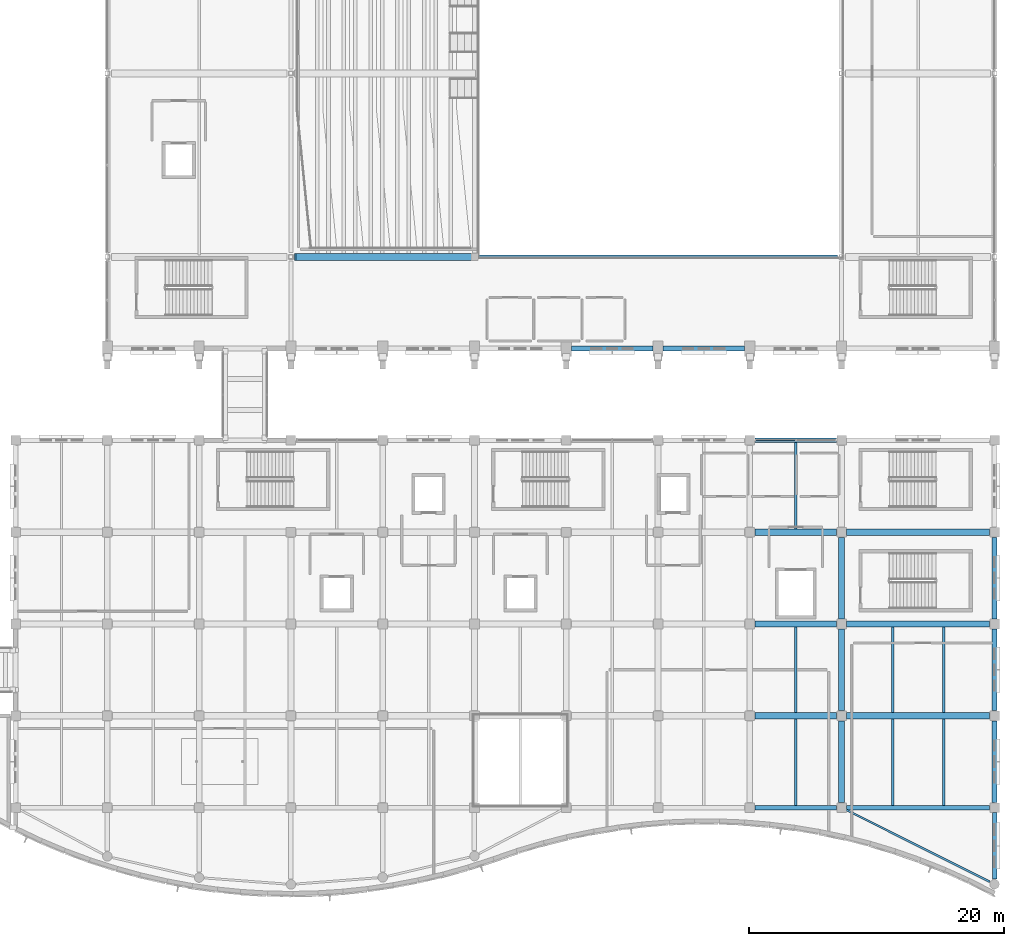
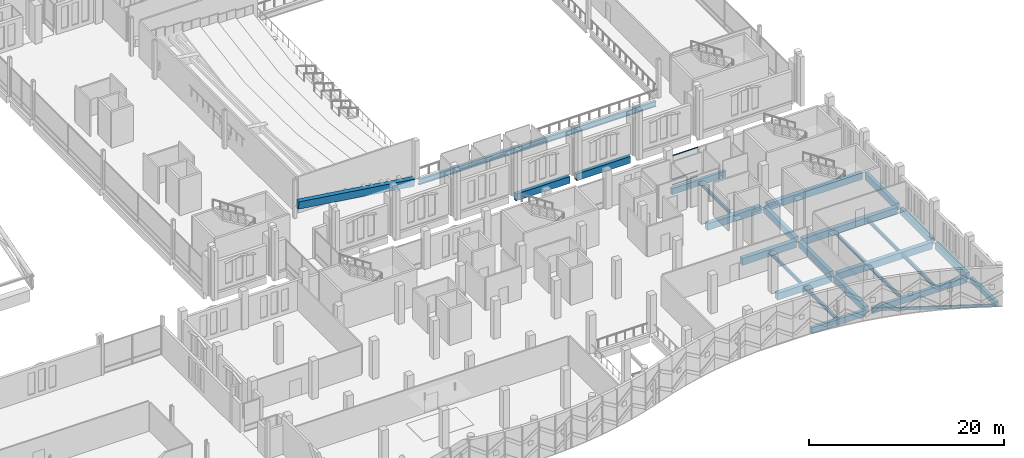
# One storey, part 76 of 193: 28 beams, 3 members, 1 element without a shape of its own.
"""IFC4 building model written with IfcOpenShell, lengths in metres."""

from ifc_helpers import new_model, si_unit, direction, frame, origin, origin_2d, place, context, subcontext, project, spatial, rectangle, hollow_rectangle, i_section, extrude, material, material_profile, profile_set, type_object, element, aggregate, save


model = new_model("IFC4")

# Units and contexts
model_context = context("Model", 3, precision=1e-05, world=origin(), true_north=direction((0.0, 1.0)))
body_context = subcontext(model_context, "Body", "Model", "MODEL_VIEW")
ifc_project = project(units=[si_unit("LENGTHUNIT", "METRE"), si_unit("AREAUNIT", "SQUARE_METRE"), si_unit("VOLUMEUNIT", "CUBIC_METRE"), si_unit("PLANEANGLEUNIT", "RADIAN"), si_unit("MASSUNIT", "GRAM", prefix="KILO")], contexts=[model_context])

# Site, building, storey
site_placement = place(None, origin())
site = spatial("IfcSite", under=ifc_project, at=site_placement, CompositionType="ELEMENT")
building_placement = place(site_placement, origin())
building = spatial("IfcBuilding", under=site, at=building_placement, Name="Cendralis Lancet Convention Centre", CompositionType="ELEMENT")
storey_placement = place(building_placement, frame((0.0, 0.0, 10.199951171875)))
storey = spatial("IfcBuildingStorey", under=building, at=storey_placement, Name="L02", CompositionType="ELEMENT", Elevation=10.199951171875)

# Curtain wall, members
ifc_material_1 = material(Name="Anodised bronze architectural aluminium", Category="aluminium")
curtain_wall_type = type_object("IfcCurtainWallType", Name="ARC-CW-CL02", PredefinedType="USERDEFINED", material=ifc_material_1)
curtain_wall_placement = place(storey_placement, origin())
curtain_wall = element("IfcCurtainWall", 1, at=curtain_wall_placement, inside=storey, type_object=curtain_wall_type, Name="L02 Curtain Wall CW-CL2 #187", ObjectType="CURTAIN WALL", PredefinedType="USERDEFINED")
ifc_material_profile_1 = material_profile(ifc_material_1, hollow_rectangle(XDim=0.06005859375, YDim=0.1201171875, WallThickness=0.00390625, at=origin_2d()), Name="AL-TRAN 60x120x4.0")
ifc_profile_set_1 = profile_set([ifc_material_profile_1], Name="Anodised bronze architectural aluminium")
member_type = type_object("IfcMemberType", Name="ARC-CW-TR01", PredefinedType="USERDEFINED", material=ifc_profile_set_1)
member_1_placement = place(storey_placement, frame((190.0849609375, 36.0, 0.06005859375), z_axis=(1.0, 0.0, 0.0), x_axis=(0.0, 1.0, 0.0)))
member_1 = element("IfcMember", 2, at=member_1_placement, type_object=member_type, Name="Transom CW2-CW-CL2-L02-187-T0BOT", ObjectType="TRANSOM", PredefinedType="USERDEFINED", context=body_context, shape_type="SweptSolid", body=[
    extrude(hollow_rectangle(XDim=0.06005859375, YDim=0.1201171875, WallThickness=0.00390625, at=origin_2d()), origin(), (0.0, 0.0, 1.0), 3.054931640625),
])
member_2_placement = place(storey_placement, frame((190.0849609375, 36.0, 0.75), z_axis=(1.0, 0.0, 0.0), x_axis=(0.0, 1.0, 0.0)))
member_2 = element("IfcMember", 3, at=member_2_placement, type_object=member_type, Name="Transom CW2-CW-CL2-L02-187-T0MID", ObjectType="TRANSOM", PredefinedType="USERDEFINED", context=body_context, shape_type="SweptSolid", body=[
    extrude(hollow_rectangle(XDim=0.06005859375, YDim=0.1201171875, WallThickness=0.00390625, at=origin_2d()), origin(), (0.0, 0.0, 1.0), 3.054931640625),
])
member_3_placement = place(storey_placement, frame((190.0849609375, 36.0, 3.715087890625), z_axis=(1.0, 0.0, 0.0), x_axis=(0.0, 1.0, 0.0)))
member_3 = element("IfcMember", 4, at=member_3_placement, type_object=member_type, Name="Transom CW2-CW-CL2-L02-187-T0TOP", ObjectType="TRANSOM", PredefinedType="USERDEFINED", context=body_context, shape_type="SweptSolid", body=[
    extrude(hollow_rectangle(XDim=0.06005859375, YDim=0.1201171875, WallThickness=0.00390625, at=origin_2d()), origin(), (0.0, 0.0, 1.0), 3.054931640625),
])
aggregate(curtain_wall, [member_1, member_2, member_3])

# Beams
ifc_material_2 = material(Name="Concrete G35 (C35/45)", Category="concrete")
ifc_material_profile_2 = material_profile(ifc_material_2, rectangle(XDim=0.5, YDim=0.85009765625, at=origin_2d()), Name="RCB 500x850")
ifc_profile_set_2 = profile_set([ifc_material_profile_2], Name="Concrete G35 (C35/45)")
beam_type_1 = type_object("IfcBeamType", Name="STR-BM-BG08", PredefinedType="BEAM", material=ifc_profile_set_2)
beam_1_placement = place(storey_placement, frame((190.0, 14.39990234375, -0.724853515625), z_axis=(1.0, 0.0, 0.0), x_axis=(0.0, 1.0, 0.0)))
element("IfcBeam", 5, at=beam_1_placement, inside=storey, type_object=beam_type_1, Name="L02 Beam BG08 #0271", PredefinedType="BEAM", context=body_context, shape_type="SweptSolid", body=[
    extrude(rectangle(XDim=0.5, YDim=0.85009765625, at=origin_2d()), origin(), (0.0, 0.0, 1.0), 6.39990234375),
])
beam_2_placement = place(storey_placement, frame((197.199951171875, 14.39990234375, -0.724853515625), z_axis=(1.0, 0.0, 0.0), x_axis=(0.0, 1.0, 0.0)))
element("IfcBeam", 6, at=beam_2_placement, inside=storey, type_object=beam_type_1, Name="L02 Beam BG08 #0272", PredefinedType="BEAM", context=body_context, shape_type="SweptSolid", body=[
    extrude(rectangle(XDim=0.5, YDim=0.85009765625, at=origin_2d()), origin(), (0.0, 0.0, 1.0), 11.199951171875),
])
beam_3_placement = place(storey_placement, frame((190.0, 21.60009765625, -0.724853515625), z_axis=(1.0, 0.0, 0.0), x_axis=(0.0, 1.0, 0.0)))
element("IfcBeam", 7, at=beam_3_placement, inside=storey, type_object=beam_type_1, Name="L02 Beam BG08 #0281", PredefinedType="BEAM", context=body_context, shape_type="SweptSolid", body=[
    extrude(rectangle(XDim=0.5, YDim=0.85009765625, at=origin_2d()), origin(), (0.0, 0.0, 1.0), 6.39990234375),
])
beam_4_placement = place(storey_placement, frame((197.199951171875, 21.60009765625, -0.724853515625), z_axis=(1.0, 0.0, 0.0), x_axis=(0.0, 1.0, 0.0)))
element("IfcBeam", 8, at=beam_4_placement, inside=storey, type_object=beam_type_1, Name="L02 Beam BG08 #0282", PredefinedType="BEAM", context=body_context, shape_type="SweptSolid", body=[
    extrude(rectangle(XDim=0.5, YDim=0.85009765625, at=origin_2d()), origin(), (0.0, 0.0, 1.0), 11.199951171875),
])
beam_5_placement = place(storey_placement, frame((190.0, 28.800048828125, -0.724853515625), z_axis=(1.0, 0.0, 0.0), x_axis=(0.0, 1.0, 0.0)))
element("IfcBeam", 9, at=beam_5_placement, inside=storey, type_object=beam_type_1, Name="L02 Beam BG08 #0291", PredefinedType="BEAM", context=body_context, shape_type="SweptSolid", body=[
    extrude(rectangle(XDim=0.5, YDim=0.85009765625, at=origin_2d()), origin(), (0.0, 0.0, 1.0), 6.39990234375),
])
beam_6_placement = place(storey_placement, frame((197.199951171875, 28.800048828125, -0.724853515625), z_axis=(1.0, 0.0, 0.0), x_axis=(0.0, 1.0, 0.0)))
element("IfcBeam", 10, at=beam_6_placement, inside=storey, type_object=beam_type_1, Name="L02 Beam BG08 #0292", PredefinedType="BEAM", context=body_context, shape_type="SweptSolid", body=[
    extrude(rectangle(XDim=0.5, YDim=0.85009765625, at=origin_2d()), origin(), (0.0, 0.0, 1.0), 11.199951171875),
])
ifc_material_profile_3 = material_profile(ifc_material_2, rectangle(XDim=0.449951171875, YDim=0.800048828125, at=origin_2d()), Name="RCB 450x800")
ifc_profile_set_3 = profile_set([ifc_material_profile_3], Name="Concrete G35 (C35/45)")
beam_type_2 = type_object("IfcBeamType", Name="STR-BM-BG10", PredefinedType="BEAM", material=ifc_profile_set_3)
for number, where, z_axis, x_axis, name in (
    (11, (196.800048828125, 7.60009765625, -0.699951171875), (0.0, 1.0, 0.0), (-1.0, 0.0, 0.0), "L02 Beam BG10 #0337"),
    (12, (196.800048828125, 14.800048828125, -0.699951171875), (0.0, 1.0, 0.0), (-1.0, 0.0, 0.0), "L02 Beam BG10 #0338"),
    (13, (196.800048828125, 22.0, -0.699951171875), (0.0, 1.0, 0.0), (-1.0, 0.0, 0.0), "L02 Beam BG10 #0339"),
):
    element("IfcBeam", number, at=place(storey_placement, frame(where, z_axis=z_axis, x_axis=x_axis)), inside=storey, type_object=beam_type_2, Name=name, PredefinedType="BEAM", context=body_context, shape_type="SweptSolid", body=[
        extrude(rectangle(XDim=0.449951171875, YDim=0.800048828125, at=origin_2d()), origin(), (0.0, 0.0, 1.0), 6.39990234375),
    ])
ifc_material_profile_4 = material_profile(ifc_material_2, rectangle(XDim=0.35009765625, YDim=0.60009765625, at=origin_2d()), Name="RCB 350x600")
ifc_profile_set_4 = profile_set([ifc_material_profile_4], Name="Concrete G35 (C35/45)")
beam_type_3 = type_object("IfcBeamType", Name="STR-BM-BG16", PredefinedType="BEAM", material=ifc_profile_set_4)
beam_7_placement = place(storey_placement, frame((208.800048828125, 1.60888671875, -0.599853515625), z_axis=(0.0, 1.0, 0.0), x_axis=(-1.0, 0.0, 0.0)))
element("IfcBeam", 14, at=beam_7_placement, inside=storey, type_object=beam_type_3, Name="L02 Beam BG16 #1085", PredefinedType="BEAM", context=body_context, shape_type="SweptSolid", body=[
    extrude(rectangle(XDim=0.35009765625, YDim=0.60009765625, at=origin_2d()), origin(), (0.0, 0.0, 1.0), 5.191162109375),
])
ifc_material_3 = material(Name="Steel S355", Category="steel")
ifc_material_profile_5 = material_profile(ifc_material_3, i_section(OverallWidth=0.300048828125, OverallDepth=0.699951171875, WebThickness=0.01708984375, FlangeThickness=0.031982421875, FilletRadius=0.027099609375, at=origin_2d()), Name="HEB 700")
ifc_profile_set_5 = profile_set([ifc_material_profile_5], Name="Steel S355")
beam_type_4 = type_object("IfcBeamType", Name="STR-BM-SG07", PredefinedType="BEAM", material=ifc_profile_set_5)
beam_8_placement = place(storey_placement, frame((168.300048828125, 50.39990234375, -0.64990234375), z_axis=(1.0, 0.0, 0.0), x_axis=(0.0, 1.0, 0.0)))
element("IfcBeam", 15, at=beam_8_placement, inside=storey, type_object=beam_type_4, Name="L02 Beam SG07 #1468", PredefinedType="BEAM", context=body_context, shape_type="SweptSolid", body=[
    extrude(i_section(OverallWidth=0.300048828125, OverallDepth=0.699951171875, WebThickness=0.01708984375, FlangeThickness=0.031982421875, FilletRadius=0.027099609375, at=origin_2d()), origin(), (0.0, 0.0, 1.0), 28.175048828125),
])
ifc_material_profile_6 = material_profile(ifc_material_3, i_section(OverallWidth=0.18994140625, OverallDepth=0.449951171875, WebThickness=0.009521484375, FlangeThickness=0.0146484375, FilletRadius=0.02099609375, at=origin_2d()), Name="IPE 450")
ifc_profile_set_6 = profile_set([ifc_material_profile_6], Name="Steel S355")
beam_type_5 = type_object("IfcBeamType", Name="STR-JS-BJ07", PredefinedType="JOIST", material=ifc_profile_set_6)
beam_9_placement = place(storey_placement, frame((193.199951171875, 7.375, -0.52490234375), z_axis=(0.0, 1.0, 0.0), x_axis=(-1.0, 0.0, 0.0)))
element("IfcBeam", 16, at=beam_9_placement, inside=storey, type_object=beam_type_5, Name="L02 Beam BJ07 #0372", PredefinedType="JOIST", context=body_context, shape_type="SweptSolid", body=[
    extrude(i_section(OverallWidth=0.18994140625, OverallDepth=0.449951171875, WebThickness=0.009521484375, FlangeThickness=0.0146484375, FilletRadius=0.02099609375, at=origin_2d()), origin(), (0.0, 0.0, 1.0), 6.77490234375),
])
beam_10_placement = place(storey_placement, frame((193.199951171875, 14.64990234375, -0.52490234375), z_axis=(0.0, 1.0, 0.0), x_axis=(-1.0, 0.0, 0.0)))
element("IfcBeam", 17, at=beam_10_placement, inside=storey, type_object=beam_type_5, Name="L02 Beam BJ07 #0373", PredefinedType="JOIST", context=body_context, shape_type="SweptSolid", body=[
    extrude(i_section(OverallWidth=0.18994140625, OverallDepth=0.449951171875, WebThickness=0.009521484375, FlangeThickness=0.0146484375, FilletRadius=0.02099609375, at=origin_2d()), origin(), (0.0, 0.0, 1.0), 6.7001953125),
])
for number, where, z_axis, x_axis, name in (
    (18, (193.199951171875, 29.050048828125, -0.52490234375), (0.0, 1.0, 0.0), (-1.0, 0.0, 0.0), "L02 Beam BJ07 #0374"),
    (19, (200.800048828125, 7.375, -0.52490234375), (0.0, 1.0, 0.0), (-1.0, 0.0, 0.0), "L02 Beam BJ07 #0375"),
):
    element("IfcBeam", number, at=place(storey_placement, frame(where, z_axis=z_axis, x_axis=x_axis)), inside=storey, type_object=beam_type_5, Name=name, PredefinedType="JOIST", context=body_context, shape_type="SweptSolid", body=[
        extrude(i_section(OverallWidth=0.18994140625, OverallDepth=0.449951171875, WebThickness=0.009521484375, FlangeThickness=0.0146484375, FilletRadius=0.02099609375, at=origin_2d()), origin(), (0.0, 0.0, 1.0), 6.77490234375),
    ])
beam_11_placement = place(storey_placement, frame((200.800048828125, 14.64990234375, -0.52490234375), z_axis=(0.0, 1.0, 0.0), x_axis=(-1.0, 0.0, 0.0)))
element("IfcBeam", 20, at=beam_11_placement, inside=storey, type_object=beam_type_5, Name="L02 Beam BJ07 #0376", PredefinedType="JOIST", context=body_context, shape_type="SweptSolid", body=[
    extrude(i_section(OverallWidth=0.18994140625, OverallDepth=0.449951171875, WebThickness=0.009521484375, FlangeThickness=0.0146484375, FilletRadius=0.02099609375, at=origin_2d()), origin(), (0.0, 0.0, 1.0), 6.7001953125),
])
beam_12_placement = place(storey_placement, frame((204.800048828125, 7.375, -0.52490234375), z_axis=(0.0, 1.0, 0.0), x_axis=(-1.0, 0.0, 0.0)))
element("IfcBeam", 21, at=beam_12_placement, inside=storey, type_object=beam_type_5, Name="L02 Beam BJ07 #0377", PredefinedType="JOIST", context=body_context, shape_type="SweptSolid", body=[
    extrude(i_section(OverallWidth=0.18994140625, OverallDepth=0.449951171875, WebThickness=0.009521484375, FlangeThickness=0.0146484375, FilletRadius=0.02099609375, at=origin_2d()), origin(), (0.0, 0.0, 1.0), 6.77490234375),
])
beam_13_placement = place(storey_placement, frame((204.800048828125, 14.64990234375, -0.52490234375), z_axis=(0.0, 1.0, 0.0), x_axis=(-1.0, 0.0, 0.0)))
element("IfcBeam", 22, at=beam_13_placement, inside=storey, type_object=beam_type_5, Name="L02 Beam BJ07 #0378", PredefinedType="JOIST", context=body_context, shape_type="SweptSolid", body=[
    extrude(i_section(OverallWidth=0.18994140625, OverallDepth=0.449951171875, WebThickness=0.009521484375, FlangeThickness=0.0146484375, FilletRadius=0.02099609375, at=origin_2d()), origin(), (0.0, 0.0, 1.0), 6.7001953125),
])
ifc_material_profile_7 = material_profile(ifc_material_2, rectangle(XDim=0.550048828125, YDim=0.89990234375, at=origin_2d()), Name="RCB 550x900")
ifc_profile_set_7 = profile_set([ifc_material_profile_7], Name="Concrete G35 (C35/45)")
beam_type_6 = type_object("IfcBeamType", Name="STR-RK-RAKER2", PredefinedType="USERDEFINED", material=ifc_profile_set_7)
beam_14_placement = place(storey_placement, frame((153.925048828125, 50.39990234375, 1.550048828125), z_axis=(0.990128740298, 0.0, -0.140160899095), x_axis=(0.0, 1.0, 0.0)))
element("IfcBeam", 23, at=beam_14_placement, inside=storey, type_object=beam_type_6, Name="Plenary Upper Stand RAKER Girder RK02-F01", ObjectType="RAKER", PredefinedType="USERDEFINED", context=body_context, shape_type="SweptSolid", body=[
    extrude(rectangle(XDim=0.550048828125, YDim=0.89990234375, at=origin_2d()), origin(), (0.0, 0.0, 1.0), 13.912353515625),
])
ifc_material_4 = material(Name="Concrete G40 (C40/50)", Category="concrete")
ifc_material_profile_8 = material_profile(ifc_material_4, rectangle(XDim=0.35009765625, YDim=0.75, at=origin_2d()), Name="RCB 350x750")
ifc_profile_set_8 = profile_set([ifc_material_profile_8], Name="Concrete G40 (C40/50)")
beam_type_7 = type_object("IfcBeamType", Name="STR-SP-SP01", PredefinedType="SPANDREL", material=ifc_profile_set_8)
beam_15_placement = place(storey_placement, frame((190.0, 7.199951171875, -0.675048828125), z_axis=(1.0, 0.0, 0.0), x_axis=(0.0, 1.0, 0.0)))
element("IfcBeam", 24, at=beam_15_placement, inside=storey, type_object=beam_type_7, Name="L02 Beam SP01 #0261", PredefinedType="SPANDREL", context=body_context, shape_type="SweptSolid", body=[
    extrude(rectangle(XDim=0.35009765625, YDim=0.75, at=origin_2d()), origin(), (0.0, 0.0, 1.0), 6.39990234375),
])
beam_16_placement = place(storey_placement, frame((197.199951171875, 7.199951171875, -0.675048828125), z_axis=(1.0, 0.0, 0.0), x_axis=(0.0, 1.0, 0.0)))
element("IfcBeam", 25, at=beam_16_placement, inside=storey, type_object=beam_type_7, Name="L02 Beam SP01 #0262", PredefinedType="SPANDREL", context=body_context, shape_type="SweptSolid", body=[
    extrude(rectangle(XDim=0.35009765625, YDim=0.75, at=origin_2d()), origin(), (0.0, 0.0, 1.0), 11.199951171875),
])
beam_17_placement = place(storey_placement, frame((190.0, 36.0, -0.675048828125), z_axis=(1.0, 0.0, 0.0), x_axis=(0.0, 1.0, 0.0)))
element("IfcBeam", 26, at=beam_17_placement, inside=storey, type_object=beam_type_7, Name="L02 Beam SP01 #0301", PredefinedType="SPANDREL", context=body_context, shape_type="SweptSolid", body=[
    extrude(rectangle(XDim=0.35009765625, YDim=0.75, at=origin_2d()), origin(), (0.0, 0.0, 1.0), 6.39990234375),
])
ifc_material_profile_9 = material_profile(ifc_material_4, rectangle(XDim=0.39990234375, YDim=0.85009765625, at=origin_2d()), Name="RCB 400x850")
ifc_profile_set_9 = profile_set([ifc_material_profile_9], Name="Concrete G40 (C40/50)")
beam_type_8 = type_object("IfcBeamType", Name="STR-SP-SP02", PredefinedType="SPANDREL", material=ifc_profile_set_9)
for number, where, z_axis, x_axis, name in (
    (27, (208.800048828125, 7.60009765625, -0.724853515625), (0.0, 1.0, 0.0), (-1.0, 0.0, 0.0), "L02 Beam SP02 #0341"),
    (28, (208.800048828125, 14.800048828125, -0.724853515625), (0.0, 1.0, 0.0), (-1.0, 0.0, 0.0), "L02 Beam SP02 #0342"),
    (29, (208.800048828125, 22.0, -0.724853515625), (0.0, 1.0, 0.0), (-1.0, 0.0, 0.0), "L02 Beam SP02 #0343"),
    (30, (175.60009765625, 43.199951171875, -0.724853515625), (1.0, 0.0, 0.0), (0.0, 1.0, 0.0), "L02 Beam SP02 #1454"),
    (31, (182.800048828125, 43.199951171875, -0.724853515625), (1.0, 0.0, 0.0), (0.0, 1.0, 0.0), "L02 Beam SP02 #1455"),
):
    element("IfcBeam", number, at=place(storey_placement, frame(where, z_axis=z_axis, x_axis=x_axis)), inside=storey, type_object=beam_type_8, Name=name, PredefinedType="SPANDREL", context=body_context, shape_type="SweptSolid", body=[
        extrude(rectangle(XDim=0.39990234375, YDim=0.85009765625, at=origin_2d()), origin(), (0.0, 0.0, 1.0), 6.39990234375),
    ])
ifc_material_profile_10 = material_profile(ifc_material_3, hollow_rectangle(XDim=0.14990234375, YDim=0.35009765625, WallThickness=0.012451171875, at=origin_2d()), Name="RHS 350x150x12.5")
ifc_profile_set_10 = profile_set([ifc_material_profile_10], Name="Steel S355")
beam_type_9 = type_object("IfcBeamType", Name="STR-SP-SP04", PredefinedType="SPANDREL", material=ifc_profile_set_10)
beam_18_placement = place(storey_placement, frame((197.15771484375, 7.020751953125, -0.474853515625), z_axis=(0.893942207692, -0.448182250103, 0.0), x_axis=(0.448182250103, 0.893942207692, 0.0)))
element("IfcBeam", 32, at=beam_18_placement, inside=storey, type_object=beam_type_9, Name="L02 Beam SP04 #1100", PredefinedType="SPANDREL", context=body_context, shape_type="SweptSolid", body=[
    extrude(hollow_rectangle(XDim=0.14990234375, YDim=0.35009765625, WallThickness=0.012451171875, at=origin_2d()), origin(), (0.0, 0.0, 1.0), 12.5986328125),
])

save(model, "model.ifc")
